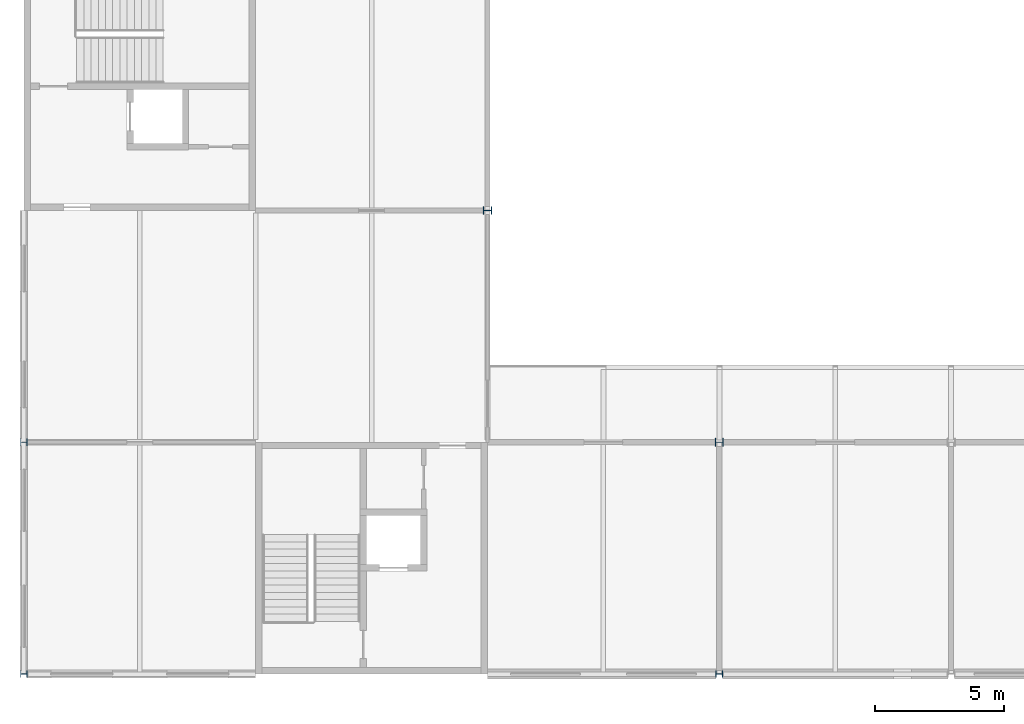
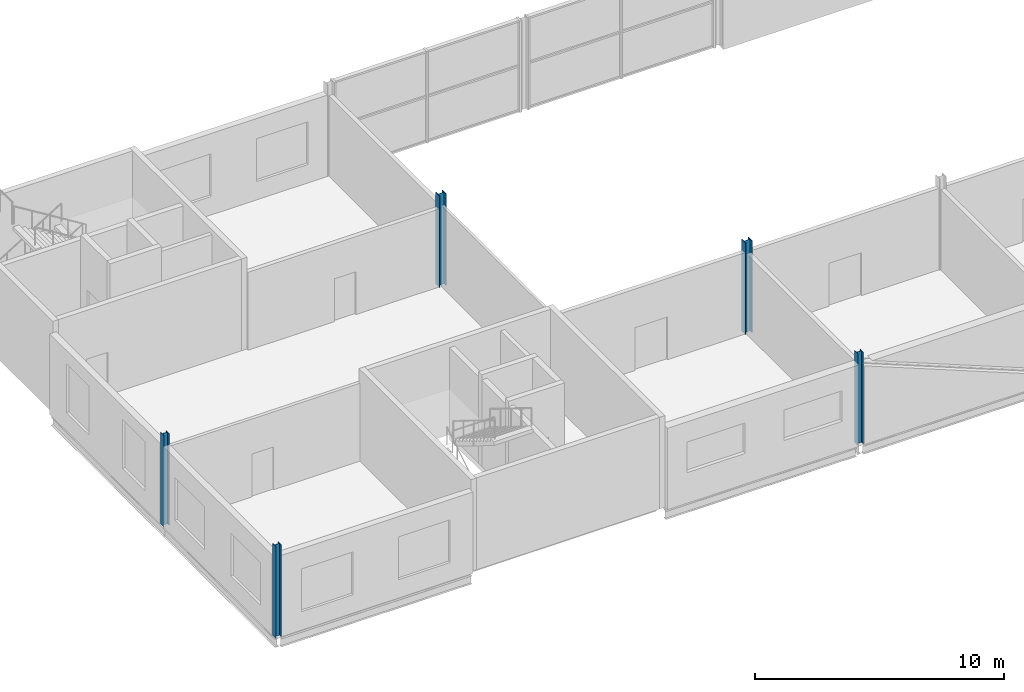
# One storey, part 1 of 97: 5 columns.
"""IFC4 building model written with IfcOpenShell, lengths in metres."""

from ifc_helpers import new_model, si_unit, direction, frame, origin, origin_2d, place, context, subcontext, project, spatial, i_section, extrude, material, material_profile, profile_set, type_object, element, save


model = new_model("IFC4")

# Units and contexts
model_context = context("Model", 3, precision=1e-05, world=origin(), true_north=direction((0.0, 1.0)))
body_context = subcontext(model_context, "Body", "Model", "MODEL_VIEW")
ifc_project = project(units=[si_unit("LENGTHUNIT", "METRE"), si_unit("AREAUNIT", "SQUARE_METRE"), si_unit("VOLUMEUNIT", "CUBIC_METRE"), si_unit("PLANEANGLEUNIT", "RADIAN"), si_unit("MASSUNIT", "GRAM", prefix="KILO")], contexts=[model_context])

# Site, building, storey
site_placement = place(None, origin())
site = spatial("IfcSite", under=ifc_project, at=site_placement, CompositionType="ELEMENT")
building_placement = place(site_placement, origin())
building = spatial("IfcBuilding", under=site, at=building_placement, Name="Corbel Yard City Hall", CompositionType="ELEMENT")
storey_placement = place(building_placement, frame((0.0, 0.0, 6.0)))
storey = spatial("IfcBuildingStorey", under=building, at=storey_placement, Name="L01", CompositionType="ELEMENT", Elevation=6.0)

# Columns
ifc_material = material(Name="Steel Grade 300 (300 MPa yield)", Category="steel")
ifc_material_profile_1 = material_profile(ifc_material, i_section(OverallWidth=0.256103515625, OverallDepth=0.260009765625, WebThickness=0.010498046875, FlangeThickness=0.017333984375, at=origin_2d()), Name="250UC89.5")
ifc_profile_set_1 = profile_set([ifc_material_profile_1], Name="Steel Grade 300 (300 MPa yield)")
column_type_1 = type_object("IfcColumnType", Name="Column 250UC89.5", PredefinedType="COLUMN", material=ifc_profile_set_1)
for number, where, z_axis, x_axis, name in (
    (1, (0.0, 0.0, 0.0), (0.0, 0.0, 1.0), (0.0, 1.0, 0.0), "Column 250UC89.5 A/1 L01"),
    (2, (0.0, 9.0, 0.0), (0.0, 0.0, 1.0), (0.0, 1.0, 0.0), "Column 250UC89.5 B/1 L01"),
    (3, (27.0, 0.0, 0.0), (0.0, 0.0, 1.0), (0.0, 1.0, 0.0), "Column 250UC89.5 A/4 L01"),
):
    element("IfcColumn", number, at=place(storey_placement, frame(where, z_axis=z_axis, x_axis=x_axis)), inside=storey, type_object=column_type_1, Name=name, PredefinedType="COLUMN", context=body_context, shape_type="SweptSolid", body=[
        extrude(i_section(OverallWidth=0.256103515625, OverallDepth=0.260009765625, WebThickness=0.010498046875, FlangeThickness=0.017333984375, at=origin_2d()), origin(), (0.0, 0.0, 1.0), 4.5),
    ])
ifc_material_profile_2 = material_profile(ifc_material, i_section(OverallWidth=0.306884765625, OverallDepth=0.31494140625, WebThickness=0.011962890625, FlangeThickness=0.018798828125, at=origin_2d()), Name="310UC118")
ifc_profile_set_2 = profile_set([ifc_material_profile_2], Name="Steel Grade 300 (300 MPa yield)")
column_type_2 = type_object("IfcColumnType", Name="Column 310UC118", PredefinedType="COLUMN", material=ifc_profile_set_2)
for number, where, z_axis, x_axis, name in (
    (4, (18.0, 18.0, 0.0), (0.0, 0.0, 1.0), (0.0, 1.0, 0.0), "Column 310UC118 C/3 L01"),
    (5, (27.0, 9.0, 0.0), (0.0, 0.0, 1.0), (0.0, 1.0, 0.0), "Column 310UC118 B/4 L01"),
):
    element("IfcColumn", number, at=place(storey_placement, frame(where, z_axis=z_axis, x_axis=x_axis)), inside=storey, type_object=column_type_2, Name=name, PredefinedType="COLUMN", context=body_context, shape_type="SweptSolid", body=[
        extrude(i_section(OverallWidth=0.306884765625, OverallDepth=0.31494140625, WebThickness=0.011962890625, FlangeThickness=0.018798828125, at=origin_2d()), origin(), (0.0, 0.0, 1.0), 4.5),
    ])

save(model, "model.ifc")
